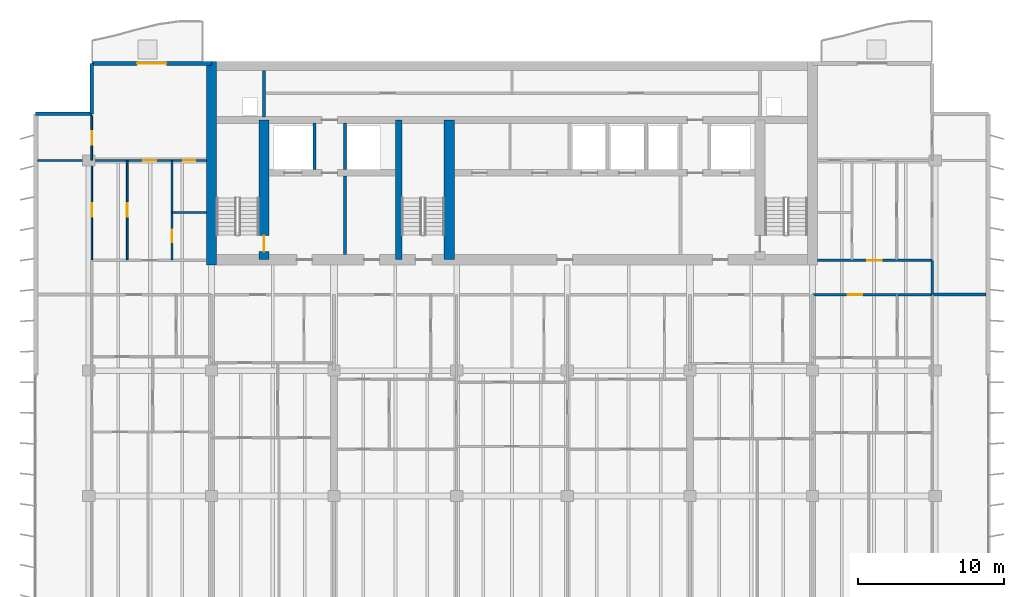
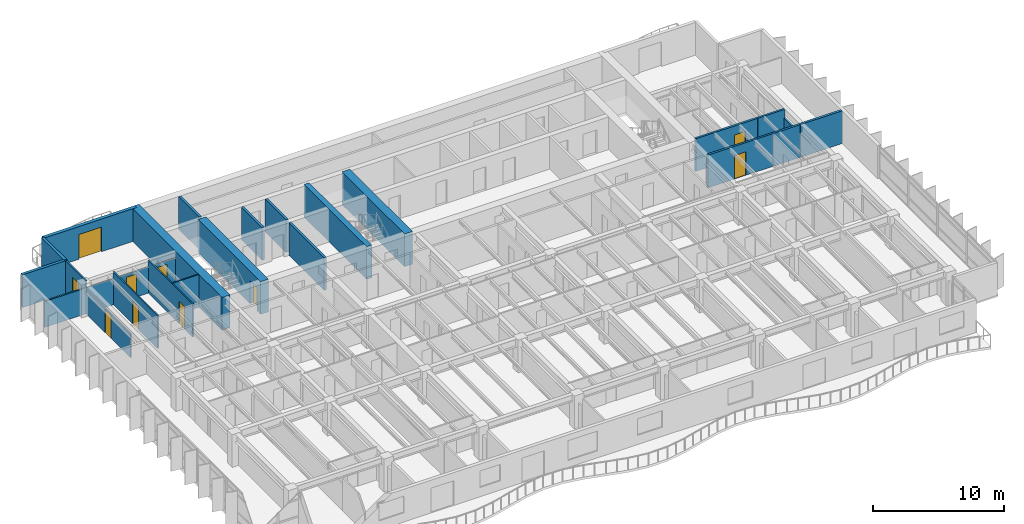
# One storey, part 12 of 18: 23 walls, 10 doors, 10 openings.
"""IFC4 building model written with IfcOpenShell, lengths in metres."""

from ifc_helpers import new_model, si_unit, direction, frame, frame_2d, origin, place, context, subcontext, project, spatial, rectangle, extrude, material, layer, layer_set, type_object, element, fill, save


model = new_model("IFC4")

# Units and contexts
model_context = context("Model", 3, precision=1e-05, world=origin(), true_north=direction((0.0, 1.0)))
body_context = subcontext(model_context, "Body", "Model", "MODEL_VIEW")
ifc_project = project(units=[si_unit("LENGTHUNIT", "METRE"), si_unit("AREAUNIT", "SQUARE_METRE"), si_unit("VOLUMEUNIT", "CUBIC_METRE"), si_unit("PLANEANGLEUNIT", "RADIAN"), si_unit("MASSUNIT", "GRAM", prefix="KILO")], contexts=[model_context])

# Site, building, storey
site_placement = place(None, origin())
site = spatial("IfcSite", under=ifc_project, at=site_placement, CompositionType="ELEMENT")
building_placement = place(site_placement, origin())
building = spatial("IfcBuilding", under=site, at=building_placement, Name="Caelmar Bay Residences", CompositionType="ELEMENT")
storey_placement = place(building_placement, frame((0.0, 0.0, 177.0)))
storey = spatial("IfcBuildingStorey", under=building, at=storey_placement, Name="L49", CompositionType="ELEMENT", Elevation=177.0)

# Wall
ifc_material_1 = material(Name="Concrete f'c 55 MPa (8,000 psi)", Category="concrete")
ifc_layer_1 = layer(ifc_material_1, 0.699951171875)
ifc_layer_set_1 = layer_set([ifc_layer_1], Name="Concrete f'c 55 MPa (8,000 psi)")
wall_type_1 = type_object("IfcWallType", Name="SW-COR-700", PredefinedType="SHEAR", material=ifc_layer_set_1)
wall_1_placement = place(storey_placement, frame((18.300048828125, 36.64990234375, 0.0), z_axis=(0.0, 0.0, 1.0), x_axis=(0.0, 1.0, 0.0)))
element("IfcWall", 1, at=wall_1_placement, inside=storey, type_object=wall_type_1, Name="L49 Rear Core West Shear Wall", PredefinedType="SHEAR", context=body_context, shape_type="SweptSolid", body=[
    extrude(rectangle(XDim=13.9501953125, YDim=0.699951171875, at=frame_2d((6.97509765625, 0.0))), origin(), (0.0, 0.0, 1.0), 3.050048828125),
])

# Wall, opening, door
wall_2_placement = place(storey_placement, frame((21.89990234375, 37.0, 0.0), z_axis=(0.0, 0.0, 1.0), x_axis=(0.0, 1.0, 0.0)))
wall_2 = element("IfcWall", 2, at=wall_2_placement, inside=storey, type_object=wall_type_1, Name="L49 Core Structural Web Wall ST1E", PredefinedType="SHEAR", context=body_context, shape_type="SweptSolid", body=[
    extrude(rectangle(XDim=9.574951171875, YDim=0.699951171875, at=frame_2d((4.78759765625, 0.0))), origin(), (0.0, 0.0, 1.0), 3.050048828125),
])
opening_1_placement = place(wall_2_placement, frame((0.550048828125, 0.0, 0.0)))
opening_1 = element("IfcOpeningElement", 3, at=opening_1_placement, cuts=wall_2, Name="Opening D-L49-107", PredefinedType="OPENING", context=body_context, shape_type="SweptSolid", body=[
    extrude(rectangle(XDim=1.10009765625, YDim=2.14990234375, at=frame_2d((0.550048828125, 1.074951171875))), frame((0.0, 0.35986328125, 0.0), z_axis=(0.0, -1.0, 0.0), x_axis=(1.0, 0.0, 0.0)), (0.0, 0.0, 1.0), 0.719970703125),
])
ifc_material_2 = material(Name="Fire-rated steel and walnut architectural door assembly", Category="steel")
ifc_layer_2 = layer(ifc_material_2, 0.050048828125)
ifc_layer_set_2 = layer_set([ifc_layer_2], Name="Fire-rated steel and walnut architectural door assembly")
door_type_1 = type_object("IfcDoorType", Name="D-STAIR-1100", OperationType="NOTDEFINED", PredefinedType="DOOR", material=ifc_layer_set_2)
door_1_placement = place(opening_1_placement, origin())
door_1 = element("IfcDoor", 4, at=door_1_placement, inside=storey, type_object=door_type_1, Name="L49 Firefighting Lobby West Door", OperationType="SINGLE_SWING_RIGHT", OverallHeight=2.14990234375, OverallWidth=1.10009765625, PredefinedType="DOOR", context=body_context, shape_type="SweptSolid", body=[
    extrude(rectangle(XDim=1.10009765625, YDim=2.14990234375, at=frame_2d((0.550048828125, 1.074951171875))), frame((0.0, 0.02490234375, 0.0), z_axis=(0.0, -1.0, 0.0), x_axis=(1.0, 0.0, 0.0)), (0.0, 0.0, 1.0), 0.050048828125),
])
fill(opening_1, door_1)

# Walls
wall_3_placement = place(storey_placement, frame((34.60009765625, 37.0, 0.0), z_axis=(0.0, 0.0, 1.0), x_axis=(0.0, 1.0, 0.0)))
element("IfcWall", 5, at=wall_3_placement, inside=storey, type_object=wall_type_1, Name="L49 Core Structural Web Wall ST3E", PredefinedType="SHEAR", context=body_context, shape_type="SweptSolid", body=[
    extrude(rectangle(XDim=9.574951171875, YDim=0.699951171875, at=frame_2d((4.78759765625, 0.0))), origin(), (0.0, 0.0, 1.0), 3.050048828125),
])
ifc_material_3 = material(Name="Concrete f'c 70 MPa (10,000 psi)", Category="concrete")
ifc_layer_3 = layer(ifc_material_3, 0.449951171875)
ifc_layer_set_3 = layer_set([ifc_layer_3], Name="Concrete f'c 70 MPa (10,000 psi)")
wall_type_2 = type_object("IfcWallType", Name="SW-WEB-450", PredefinedType="SHEAR", material=ifc_layer_set_3)
wall_4_placement = place(storey_placement, frame((31.125, 37.0, 0.0), z_axis=(0.0, 0.0, 1.0), x_axis=(0.0, 1.0, 0.0)))
element("IfcWall", 6, at=wall_4_placement, inside=storey, type_object=wall_type_2, Name="L49 Core Structural Web Wall ST3W", PredefinedType="SHEAR", context=body_context, shape_type="SweptSolid", body=[
    extrude(rectangle(XDim=9.574951171875, YDim=0.449951171875, at=frame_2d((4.78759765625, 0.0))), origin(), (0.0, 0.0, 1.0), 3.050048828125),
])
ifc_material_4 = material(Name="Double-stud acoustic fire-rated gypsum partition 180 mm")
ifc_layer_4 = layer(ifc_material_4, 0.179931640625)
ifc_layer_set_4 = layer_set([ifc_layer_4], Name="Double-stud acoustic fire-rated gypsum partition 180 mm")
wall_type_3 = type_object("IfcWallType", Name="W-COR-200", PredefinedType="PARTITIONING", material=ifc_layer_set_4)
wall_5_placement = place(storey_placement, frame((67.699951171875, 34.60498046875, 0.0), z_axis=(0.0, 0.0, 1.0), x_axis=(0.0, 1.0, 0.0)))
element("IfcWall", 7, at=wall_5_placement, inside=storey, type_object=wall_type_3, Name="L49 Partition Wall V101", PredefinedType="PARTITIONING", context=body_context, shape_type="SweptSolid", body=[
    extrude(rectangle(XDim=2.344970703125, YDim=0.179931640625, at=frame_2d((1.17236328125, 0.0))), origin(), (0.0, 0.0, 1.0), 2.262939453125),
])

# Wall, opening, door
wall_6_placement = place(storey_placement, frame((59.550048828125, 34.60009765625, 0.0), z_axis=(0.0, 0.0, 1.0), x_axis=(1.0, 0.0, 0.0)))
wall_6 = element("IfcWall", 8, at=wall_6_placement, inside=storey, type_object=wall_type_3, Name="L49 Partition Wall H129", PredefinedType="PARTITIONING", context=body_context, shape_type="SweptSolid", body=[
    extrude(rectangle(XDim=5.72998046875, YDim=0.179931640625, at=frame_2d((2.864990234375, 0.0))), origin(), (0.0, 0.0, 1.0), 3.050048828125),
])
opening_2_placement = place(wall_6_placement, frame((2.364990234375, 0.0, 0.0)))
opening_2 = element("IfcOpeningElement", 9, at=opening_2_placement, cuts=wall_6, Name="Opening D-L49-156", PredefinedType="OPENING", context=body_context, shape_type="SweptSolid", body=[
    extrude(rectangle(XDim=1.0, YDim=2.199951171875, at=frame_2d((0.5, 1.10009765625))), frame((0.0, 0.099853515625, 0.0), z_axis=(0.0, -1.0, 0.0), x_axis=(1.0, 0.0, 0.0)), (0.0, 0.0, 1.0), 0.199951171875),
])
ifc_layer_5 = layer(ifc_material_2, 0.050048828125)
ifc_layer_set_5 = layer_set([ifc_layer_5], Name="Fire-rated steel and walnut architectural door assembly")
door_type_2 = type_object("IfcDoorType", Name="D-UNIT-1000", OperationType="NOTDEFINED", PredefinedType="DOOR", material=ifc_layer_set_5)
door_2_placement = place(opening_2_placement, origin())
door_2 = element("IfcDoor", 10, at=door_2_placement, inside=storey, type_object=door_type_2, Name="L49 Residence 05 Apartment Hall Door", OperationType="SINGLE_SWING_LEFT", OverallHeight=2.199951171875, OverallWidth=1.0, PredefinedType="DOOR", context=body_context, shape_type="SweptSolid", body=[
    extrude(rectangle(XDim=1.0, YDim=2.199951171875, at=frame_2d((0.5, 1.10009765625))), frame((0.0, 0.02490234375, 0.0), z_axis=(0.0, -1.0, 0.0), x_axis=(1.0, 0.0, 0.0)), (0.0, 0.0, 1.0), 0.050048828125),
])
fill(opening_2, door_2)

# Wall
wall_7_placement = place(storey_placement, frame((65.31591796875, 34.60009765625, 0.0), z_axis=(0.0, 0.0, 1.0), x_axis=(1.0, 0.0, 0.0)))
element("IfcWall", 11, at=wall_7_placement, inside=storey, type_object=wall_type_3, Name="L49 Partition Wall H130", PredefinedType="PARTITIONING", context=body_context, shape_type="SweptSolid", body=[
    extrude(rectangle(XDim=2.384033203125, YDim=0.179931640625, at=frame_2d((1.19189453125, 0.0))), origin(), (0.0, 0.0, 1.0), 3.050048828125),
])

# Wall, opening, door
wall_8_placement = place(storey_placement, frame((59.85498046875, 36.949951171875, 0.0), z_axis=(0.0, 0.0, 1.0), x_axis=(1.0, 0.0, 0.0)))
wall_8 = element("IfcWall", 12, at=wall_8_placement, inside=storey, type_object=wall_type_3, Name="L49 Partition Wall H133", PredefinedType="PARTITIONING", context=body_context, shape_type="SweptSolid", body=[
    extrude(rectangle(XDim=5.425048828125, YDim=0.179931640625, at=frame_2d((2.71240234375, 0.0))), origin(), (0.0, 0.0, 1.0), 3.050048828125),
])
opening_3_placement = place(wall_8_placement, frame((3.385009765625, 0.0, 0.0)))
opening_3 = element("IfcOpeningElement", 13, at=opening_3_placement, cuts=wall_8, Name="Opening D-L49-173", PredefinedType="OPENING", context=body_context, shape_type="SweptSolid", body=[
    extrude(rectangle(XDim=1.0, YDim=2.199951171875, at=frame_2d((0.5, 1.10009765625))), frame((0.0, 0.099853515625, 0.0), z_axis=(0.0, -1.0, 0.0), x_axis=(1.0, 0.0, 0.0)), (0.0, 0.0, 1.0), 0.199951171875),
])
door_3_placement = place(opening_3_placement, origin())
door_3 = element("IfcDoor", 14, at=door_3_placement, inside=storey, type_object=door_type_2, Name="L49 Residence EA Kitchen Door", OperationType="SINGLE_SWING_RIGHT", OverallHeight=2.199951171875, OverallWidth=1.0, PredefinedType="DOOR", context=body_context, shape_type="SweptSolid", body=[
    extrude(rectangle(XDim=1.0, YDim=2.199951171875, at=frame_2d((0.5, 1.10009765625))), frame((0.0, 0.02490234375, 0.0), z_axis=(0.0, -1.0, 0.0), x_axis=(1.0, 0.0, 0.0)), (0.0, 0.0, 1.0), 0.050048828125),
])
fill(opening_3, door_3)

# Walls
wall_9_placement = place(storey_placement, frame((65.31591796875, 36.949951171875, 0.0), z_axis=(0.0, 0.0, 1.0), x_axis=(1.0, 0.0, 0.0)))
element("IfcWall", 15, at=wall_9_placement, inside=storey, type_object=wall_type_3, Name="L49 Partition Wall H134", PredefinedType="PARTITIONING", context=body_context, shape_type="SweptSolid", body=[
    extrude(rectangle(XDim=2.384033203125, YDim=0.179931640625, at=frame_2d((1.19189453125, 0.0))), origin(), (0.0, 0.0, 1.0), 3.050048828125),
])
ifc_material_5 = material(Name="Precast concrete f'c 40 MPa (6,000 psi)", Category="concrete")
ifc_layer_6 = layer(ifc_material_5, 0.25)
ifc_layer_set_6 = layer_set([ifc_layer_6], Name="Precast concrete f'c 40 MPa (6,000 psi)")
wall_type_4 = type_object("IfcWallType", Name="W-EXT-250", PredefinedType="ELEMENTEDWALL", material=ifc_layer_set_6)
wall_10_placement = place(storey_placement, frame((6.25, 47.0, 0.0), z_axis=(0.0, 0.0, 1.0), x_axis=(1.0, 0.0, 0.0)))
element("IfcWall", 16, at=wall_10_placement, inside=storey, type_object=wall_type_4, Name="L49 NNW-H Notch Wall", PredefinedType="ELEMENTEDWALL", context=body_context, shape_type="SweptSolid", body=[
    extrude(rectangle(XDim=3.85009765625, YDim=0.25, at=frame_2d((1.925048828125, 0.0))), origin(), (0.0, 0.0, 1.0), 3.050048828125),
])
wall_11_placement = place(storey_placement, frame((10.10009765625, 47.0, 0.0), z_axis=(0.0, 0.0, 1.0), x_axis=(0.0, 1.0, 0.0)))
element("IfcWall", 17, at=wall_11_placement, inside=storey, type_object=wall_type_4, Name="L49 NNW-V Notch Wall", PredefinedType="ELEMENTEDWALL", context=body_context, shape_type="SweptSolid", body=[
    extrude(rectangle(XDim=3.449951171875, YDim=0.25, at=frame_2d((1.72509765625, 0.0))), origin(), (0.0, 0.0, 1.0), 3.050048828125),
])

# Wall, opening, door
ifc_layer_7 = layer(ifc_material_5, 0.300048828125)
ifc_layer_set_7 = layer_set([ifc_layer_7], Name="Precast concrete f'c 40 MPa (6,000 psi)")
wall_type_5 = type_object("IfcWallType", Name="W-EXT-300", PredefinedType="STANDARD", material=ifc_layer_set_7)
wall_12_placement = place(storey_placement, frame((10.10009765625, 50.449951171875, 0.0), z_axis=(0.0, 0.0, 1.0), x_axis=(1.0, 0.0, 0.0)))
wall_12 = element("IfcWall", 18, at=wall_12_placement, inside=storey, type_object=wall_type_5, Name="L49 North-West Wing Exterior Wall", PredefinedType="STANDARD", context=body_context, shape_type="SweptSolid", body=[
    extrude(rectangle(XDim=8.199951171875, YDim=0.300048828125, at=frame_2d((4.10009765625, 0.0))), origin(), (0.0, 0.0, 1.0), 3.050048828125),
])
opening_4_placement = place(wall_12_placement, frame((3.10009765625, 0.0, 0.0)))
opening_4 = element("IfcOpeningElement", 19, at=opening_4_placement, cuts=wall_12, Name="Opening L49-BDNW", PredefinedType="OPENING", context=body_context, shape_type="SweptSolid", body=[
    extrude(rectangle(XDim=2.0, YDim=2.300048828125, at=frame_2d((1.0, 1.14990234375))), frame((0.0, 0.159912109375, 0.0), z_axis=(0.0, -1.0, 0.0), x_axis=(1.0, 0.0, 0.0)), (0.0, 0.0, 1.0), 0.320068359375),
])
ifc_material_6 = material(Name="Anodised bronze thermally broken sliding glass door", Category="glass")
ifc_layer_8 = layer(ifc_material_6, 0.050048828125)
ifc_layer_set_8 = layer_set([ifc_layer_8], Name="Anodised bronze thermally broken sliding glass door")
door_type_3 = type_object("IfcDoorType", Name="D-BAL-2000", OperationType="DOUBLE_DOOR_SLIDING", PredefinedType="DOOR", material=ifc_layer_set_8)
door_4_placement = place(opening_4_placement, origin())
door_4 = element("IfcDoor", 20, at=door_4_placement, inside=storey, type_object=door_type_3, Name="L49 North-West Balcony Door", OperationType="DOUBLE_DOOR_SLIDING", OverallHeight=2.300048828125, OverallWidth=2.0, PredefinedType="DOOR", context=body_context, shape_type="SweptSolid", body=[
    extrude(rectangle(XDim=2.0, YDim=2.300048828125, at=frame_2d((1.0, 1.14990234375))), frame((0.0, 0.02490234375, 0.0), z_axis=(0.0, -1.0, 0.0), x_axis=(1.0, 0.0, 0.0)), (0.0, 0.0, 1.0), 0.050048828125),
])
fill(opening_4, door_4)

# Walls
ifc_material_7 = material(Name="Fire-rated masonry and gypsum shaftliner assembly 200 mm", Category="masonry")
ifc_layer_9 = layer(ifc_material_7, 0.199951171875)
ifc_layer_set_9 = layer_set([ifc_layer_9], Name="Fire-rated masonry and gypsum shaftliner assembly 200 mm")
wall_type_6 = type_object("IfcWallType", Name="W-FSAE-200", PredefinedType="PARTITIONING", material=ifc_layer_set_9)
wall_13_placement = place(storey_placement, frame((21.89990234375, 46.794921875, 0.0), z_axis=(0.0, 0.0, 1.0), x_axis=(0.0, 1.0, 0.0)))
element("IfcWall", 21, at=wall_13_placement, inside=storey, type_object=wall_type_6, Name="L49 Partition Wall V023", PredefinedType="PARTITIONING", context=body_context, shape_type="SweptSolid", body=[
    extrude(rectangle(XDim=3.16015625, YDim=0.199951171875, at=frame_2d((1.580078125, 0.0))), origin(), (0.0, 0.0, 1.0), 3.050048828125),
])
wall_14_placement = place(storey_placement, frame((25.35009765625, 43.169921875, 0.0), z_axis=(0.0, 0.0, 1.0), x_axis=(0.0, 1.0, 0.0)))
element("IfcWall", 22, at=wall_14_placement, inside=storey, type_object=wall_type_6, Name="L49 Partition Wall V030", PredefinedType="PARTITIONING", context=body_context, shape_type="SweptSolid", body=[
    extrude(rectangle(XDim=3.18505859375, YDim=0.199951171875, at=frame_2d((1.592529296875, 0.0))), origin(), (0.0, 0.0, 1.0), 3.050048828125),
])
wall_15_placement = place(storey_placement, frame((27.449951171875, 37.344970703125, 0.0), z_axis=(0.0, 0.0, 1.0), x_axis=(0.0, 1.0, 0.0)))
element("IfcWall", 23, at=wall_15_placement, inside=storey, type_object=wall_type_6, Name="L49 Partition Wall V036", PredefinedType="PARTITIONING", context=body_context, shape_type="SweptSolid", body=[
    extrude(rectangle(XDim=5.385009765625, YDim=0.199951171875, at=frame_2d((2.6923828125, 0.0))), origin(), (0.0, 0.0, 1.0), 3.050048828125),
])
wall_16_placement = place(storey_placement, frame((27.449951171875, 43.169921875, 0.0), z_axis=(0.0, 0.0, 1.0), x_axis=(0.0, 1.0, 0.0)))
element("IfcWall", 24, at=wall_16_placement, inside=storey, type_object=wall_type_6, Name="L49 Partition Wall V037", PredefinedType="PARTITIONING", context=body_context, shape_type="SweptSolid", body=[
    extrude(rectangle(XDim=3.18505859375, YDim=0.199951171875, at=frame_2d((1.592529296875, 0.0))), origin(), (0.0, 0.0, 1.0), 3.050048828125),
])

# Wall, opening, door
ifc_material_8 = material(Name="Anodised bronze framed acoustic sliding study partition 100 mm")
ifc_layer_10 = layer(ifc_material_8, 0.10009765625)
ifc_layer_set_10 = layer_set([ifc_layer_10], Name="Anodised bronze framed acoustic sliding study partition 100 mm")
wall_type_7 = type_object("IfcWallType", Name="W-MOV-100", PredefinedType="MOVABLE", material=ifc_layer_set_10)
wall_17_placement = place(storey_placement, frame((10.10009765625, 37.0, 0.0), z_axis=(0.0, 0.0, 1.0), x_axis=(0.0, 1.0, 0.0)))
wall_17 = element("IfcWall", 25, at=wall_17_placement, inside=storey, type_object=wall_type_7, Name="L49 Partition Wall V007", PredefinedType="MOVABLE", context=body_context, shape_type="SweptSolid", body=[
    extrude(rectangle(XDim=6.800048828125, YDim=0.10009765625, at=frame_2d((3.39990234375, 0.0))), origin(), (0.0, 0.0, 1.0), 2.262939453125),
])
opening_5_placement = place(wall_17_placement, frame((2.949951171875, 0.0, 0.0)))
opening_5 = element("IfcOpeningElement", 26, at=opening_5_placement, cuts=wall_17, Name="Opening D-L49-170", PredefinedType="OPENING", context=body_context, shape_type="SweptSolid", body=[
    extrude(rectangle(XDim=0.89990234375, YDim=2.14990234375, at=frame_2d((0.449951171875, 1.074951171875))), frame((0.0, 0.06005859375, 0.0), z_axis=(0.0, -1.0, 0.0), x_axis=(1.0, 0.0, 0.0)), (0.0, 0.0, 1.0), 0.1201171875),
])
ifc_material_9 = material(Name="Solid walnut timber interior door leaf and frame", Category="wood")
ifc_layer_11 = layer(ifc_material_9, 0.050048828125)
ifc_layer_set_11 = layer_set([ifc_layer_11], Name="Solid walnut timber interior door leaf and frame")
door_type_4 = type_object("IfcDoorType", Name="D-ROOM-900", OperationType="NOTDEFINED", PredefinedType="DOOR", material=ifc_layer_set_11)
door_5_placement = place(opening_5_placement, origin())
door_5 = element("IfcDoor", 27, at=door_5_placement, inside=storey, type_object=door_type_4, Name="L49 Residence WA Sun Study Door", OperationType="SINGLE_SWING_LEFT", OverallHeight=2.14990234375, OverallWidth=0.89990234375, PredefinedType="DOOR", context=body_context, shape_type="SweptSolid", body=[
    extrude(rectangle(XDim=0.89990234375, YDim=2.14990234375, at=frame_2d((0.449951171875, 1.074951171875))), frame((0.0, 0.02490234375, 0.0), z_axis=(0.0, -1.0, 0.0), x_axis=(1.0, 0.0, 0.0)), (0.0, 0.0, 1.0), 0.050048828125),
])
fill(opening_5, door_5)

ifc_material_10 = material(Name="Acoustic metal-stud gypsum partition 120 mm")
ifc_layer_12 = layer(ifc_material_10, 0.1201171875)
ifc_layer_set_12 = layer_set([ifc_layer_12], Name="Acoustic metal-stud gypsum partition 120 mm")
wall_type_8 = type_object("IfcWallType", Name="W-PRT-120", PredefinedType="PARTITIONING", material=ifc_layer_set_12)
wall_18_placement = place(storey_placement, frame((10.10009765625, 43.804931640625, 0.0), z_axis=(0.0, 0.0, 1.0), x_axis=(0.0, 1.0, 0.0)))
wall_18 = element("IfcWall", 28, at=wall_18_placement, inside=storey, type_object=wall_type_8, Name="L49 Partition Wall V008", PredefinedType="PARTITIONING", context=body_context, shape_type="SweptSolid", body=[
    extrude(rectangle(XDim=3.074951171875, YDim=0.1201171875, at=frame_2d((1.53759765625, 0.0))), origin(), (0.0, 0.0, 1.0), 3.050048828125),
])
opening_6_placement = place(wall_18_placement, frame((1.08740234375, 0.0, 0.0)))
opening_6 = element("IfcOpeningElement", 29, at=opening_6_placement, cuts=wall_18, Name="Opening D-L49-171", PredefinedType="OPENING", context=body_context, shape_type="SweptSolid", body=[
    extrude(rectangle(XDim=0.89990234375, YDim=2.14990234375, at=frame_2d((0.449951171875, 1.074951171875))), frame((0.0, 0.070068359375, 0.0), z_axis=(0.0, -1.0, 0.0), x_axis=(1.0, 0.0, 0.0)), (0.0, 0.0, 1.0), 0.14013671875),
])
door_6_placement = place(opening_6_placement, origin())
door_6 = element("IfcDoor", 30, at=door_6_placement, inside=storey, type_object=door_type_4, Name="L49 Residence WA North Sitting Alcove Door", OperationType="SINGLE_SWING_RIGHT", OverallHeight=2.14990234375, OverallWidth=0.89990234375, PredefinedType="DOOR", context=body_context, shape_type="SweptSolid", body=[
    extrude(rectangle(XDim=0.89990234375, YDim=2.14990234375, at=frame_2d((0.449951171875, 1.074951171875))), frame((0.0, 0.02490234375, 0.0), z_axis=(0.0, -1.0, 0.0), x_axis=(1.0, 0.0, 0.0)), (0.0, 0.0, 1.0), 0.050048828125),
])
fill(opening_6, door_6)

wall_19_placement = place(storey_placement, frame((12.52001953125, 37.0, 0.0), z_axis=(0.0, 0.0, 1.0), x_axis=(0.0, 1.0, 0.0)))
wall_19 = element("IfcWall", 31, at=wall_19_placement, inside=storey, type_object=wall_type_8, Name="L49 Partition Wall V009", PredefinedType="PARTITIONING", context=body_context, shape_type="SweptSolid", body=[
    extrude(rectangle(XDim=6.800048828125, YDim=0.1201171875, at=frame_2d((3.39990234375, 0.0))), origin(), (0.0, 0.0, 1.0), 3.050048828125),
])
opening_7_placement = place(wall_19_placement, frame((2.949951171875, 0.0, 0.0)))
opening_7 = element("IfcOpeningElement", 32, at=opening_7_placement, cuts=wall_19, Name="Opening D-L49-165", PredefinedType="OPENING", context=body_context, shape_type="SweptSolid", body=[
    extrude(rectangle(XDim=0.89990234375, YDim=2.14990234375, at=frame_2d((0.449951171875, 1.074951171875))), frame((0.0, 0.070068359375, 0.0), z_axis=(0.0, -1.0, 0.0), x_axis=(1.0, 0.0, 0.0)), (0.0, 0.0, 1.0), 0.14013671875),
])
door_7_placement = place(opening_7_placement, origin())
door_7 = element("IfcDoor", 33, at=door_7_placement, inside=storey, type_object=door_type_4, Name="L49 Residence WA Dining Room Door", OperationType="SINGLE_SWING_RIGHT", OverallHeight=2.14990234375, OverallWidth=0.89990234375, PredefinedType="DOOR", context=body_context, shape_type="SweptSolid", body=[
    extrude(rectangle(XDim=0.89990234375, YDim=2.14990234375, at=frame_2d((0.449951171875, 1.074951171875))), frame((0.0, 0.02490234375, 0.0), z_axis=(0.0, -1.0, 0.0), x_axis=(1.0, 0.0, 0.0)), (0.0, 0.0, 1.0), 0.050048828125),
])
fill(opening_7, door_7)

wall_20_placement = place(storey_placement, frame((15.60009765625, 37.0, 0.0), z_axis=(0.0, 0.0, 1.0), x_axis=(0.0, 1.0, 0.0)))
wall_20 = element("IfcWall", 34, at=wall_20_placement, inside=storey, type_object=wall_type_8, Name="L49 Partition Wall V015", PredefinedType="PARTITIONING", context=body_context, shape_type="SweptSolid", body=[
    extrude(rectangle(XDim=6.800048828125, YDim=0.1201171875, at=frame_2d((3.39990234375, 0.0))), origin(), (0.0, 0.0, 1.0), 3.050048828125),
])
opening_8_placement = place(wall_20_placement, frame((1.194091796875, 0.0, 0.0)))
opening_8 = element("IfcOpeningElement", 35, at=opening_8_placement, cuts=wall_20, Name="Opening D-L49-168", PredefinedType="OPENING", context=body_context, shape_type="SweptSolid", body=[
    extrude(rectangle(XDim=0.85009765625, YDim=2.10009765625, at=frame_2d((0.425048828125, 1.050048828125))), frame((0.0, 0.070068359375, 0.0), z_axis=(0.0, -1.0, 0.0), x_axis=(1.0, 0.0, 0.0)), (0.0, 0.0, 1.0), 0.14013671875),
])
ifc_layer_13 = layer(ifc_material_9, 0.050048828125)
ifc_layer_set_13 = layer_set([ifc_layer_13], Name="Solid walnut timber interior door leaf and frame")
door_type_5 = type_object("IfcDoorType", Name="D-BATH-850", OperationType="NOTDEFINED", PredefinedType="DOOR", material=ifc_layer_set_13)
door_8_placement = place(opening_8_placement, origin())
door_8 = element("IfcDoor", 36, at=door_8_placement, inside=storey, type_object=door_type_5, Name="L49 Residence WA Walk-In Closet Door", OperationType="SINGLE_SWING_LEFT", OverallHeight=2.10009765625, OverallWidth=0.85009765625, PredefinedType="DOOR", context=body_context, shape_type="SweptSolid", body=[
    extrude(rectangle(XDim=0.85009765625, YDim=2.10009765625, at=frame_2d((0.425048828125, 1.050048828125))), frame((0.0, 0.02490234375, 0.0), z_axis=(0.0, -1.0, 0.0), x_axis=(1.0, 0.0, 0.0)), (0.0, 0.0, 1.0), 0.050048828125),
])
fill(opening_8, door_8)

# Wall
wall_21_placement = place(storey_placement, frame((15.60009765625, 40.238037109375, 0.0), z_axis=(0.0, 0.0, 1.0), x_axis=(1.0, 0.0, 0.0)))
element("IfcWall", 37, at=wall_21_placement, inside=storey, type_object=wall_type_8, Name="L49 Partition Wall H135", PredefinedType="PARTITIONING", context=body_context, shape_type="SweptSolid", body=[
    extrude(rectangle(XDim=2.35498046875, YDim=0.1201171875, at=frame_2d((1.177490234375, 0.0))), origin(), (0.0, 0.0, 1.0), 3.050048828125),
])

# Wall, openings, doors
wall_22_placement = place(storey_placement, frame((6.39501953125, 43.800048828125, 0.0), z_axis=(0.0, 0.0, 1.0), x_axis=(1.0, 0.0, 0.0)))
wall_22 = element("IfcWall", 38, at=wall_22_placement, inside=storey, type_object=wall_type_8, Name="L49 Partition Wall H137", PredefinedType="PARTITIONING", context=body_context, shape_type="SweptSolid", body=[
    extrude(rectangle(XDim=11.56005859375, YDim=0.1201171875, at=frame_2d((5.780029296875, 0.0))), origin(), (0.0, 0.0, 1.0), 2.41796875),
])
opening_9_placement = place(wall_22_placement, frame((7.215087890625, 0.0, 0.0)))
opening_9 = element("IfcOpeningElement", 39, at=opening_9_placement, cuts=wall_22, Name="Opening D-L49-167", PredefinedType="OPENING", context=body_context, shape_type="SweptSolid", body=[
    extrude(rectangle(XDim=0.89990234375, YDim=2.14990234375, at=frame_2d((0.449951171875, 1.074951171875))), frame((0.0, 0.070068359375, 0.0), z_axis=(0.0, -1.0, 0.0), x_axis=(1.0, 0.0, 0.0)), (0.0, 0.0, 1.0), 0.14013671875),
])
opening_10_placement = place(wall_22_placement, frame((9.95751953125, 0.0, 0.0)))
opening_10 = element("IfcOpeningElement", 40, at=opening_10_placement, cuts=wall_22, Name="Opening D-L49-169", PredefinedType="OPENING", context=body_context, shape_type="SweptSolid", body=[
    extrude(rectangle(XDim=0.85009765625, YDim=2.10009765625, at=frame_2d((0.425048828125, 1.050048828125))), frame((0.0, 0.070068359375, 0.0), z_axis=(0.0, -1.0, 0.0), x_axis=(1.0, 0.0, 0.0)), (0.0, 0.0, 1.0), 0.14013671875),
])
door_9_placement = place(opening_10_placement, origin())
door_9 = element("IfcDoor", 41, at=door_9_placement, inside=storey, type_object=door_type_5, Name="L49 Residence WA Bathroom Door", OperationType="SINGLE_SWING_RIGHT", OverallHeight=2.10009765625, OverallWidth=0.85009765625, PredefinedType="DOOR", context=body_context, shape_type="SweptSolid", body=[
    extrude(rectangle(XDim=0.85009765625, YDim=2.10009765625, at=frame_2d((0.425048828125, 1.050048828125))), frame((0.0, 0.02490234375, 0.0), z_axis=(0.0, -1.0, 0.0), x_axis=(1.0, 0.0, 0.0)), (0.0, 0.0, 1.0), 0.050048828125),
])
fill(opening_10, door_9)
door_10_placement = place(opening_9_placement, origin())
door_10 = element("IfcDoor", 42, at=door_10_placement, inside=storey, type_object=door_type_4, Name="L49 Residence WA Studio Living and Sleeping Room Door", OperationType="SINGLE_SWING_RIGHT", OverallHeight=2.14990234375, OverallWidth=0.89990234375, PredefinedType="DOOR", context=body_context, shape_type="SweptSolid", body=[
    extrude(rectangle(XDim=0.89990234375, YDim=2.14990234375, at=frame_2d((0.449951171875, 1.074951171875))), frame((0.0, 0.02490234375, 0.0), z_axis=(0.0, -1.0, 0.0), x_axis=(1.0, 0.0, 0.0)), (0.0, 0.0, 1.0), 0.050048828125),
])
fill(opening_9, door_10)

# Wall
ifc_material_11 = material(Name="Acoustic twin-stud fire-rated inter-tenancy partition 200 mm")
ifc_layer_14 = layer(ifc_material_11, 0.199951171875)
ifc_layer_set_14 = layer_set([ifc_layer_14], Name="Acoustic twin-stud fire-rated inter-tenancy partition 200 mm")
wall_type_9 = type_object("IfcWallType", Name="W-PTY-200", PredefinedType="PARTITIONING", material=ifc_layer_set_14)
wall_23_placement = place(storey_placement, frame((67.705078125, 34.60009765625, 0.0), z_axis=(0.0, 0.0, 1.0), x_axis=(1.0, 0.0, 0.0)))
element("IfcWall", 43, at=wall_23_placement, inside=storey, type_object=wall_type_9, Name="L49 Partition Wall H131", PredefinedType="PARTITIONING", context=body_context, shape_type="SweptSolid", body=[
    extrude(rectangle(XDim=3.699951171875, YDim=0.199951171875, at=frame_2d((1.85009765625, 0.0))), origin(), (0.0, 0.0, 1.0), 3.050048828125),
])

save(model, "model.ifc")
